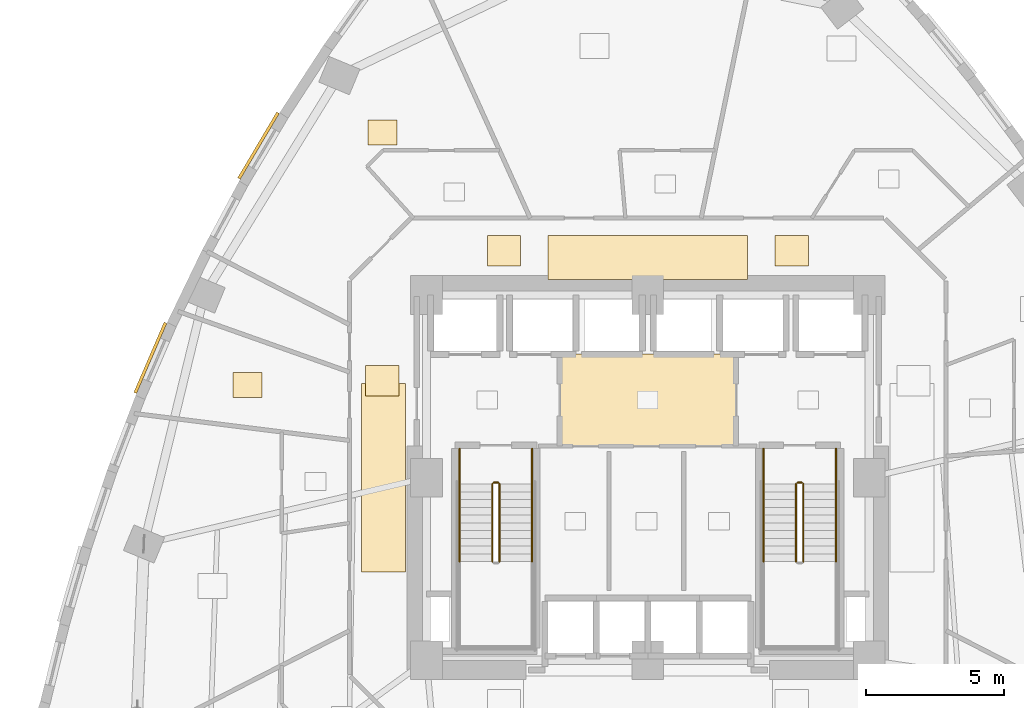
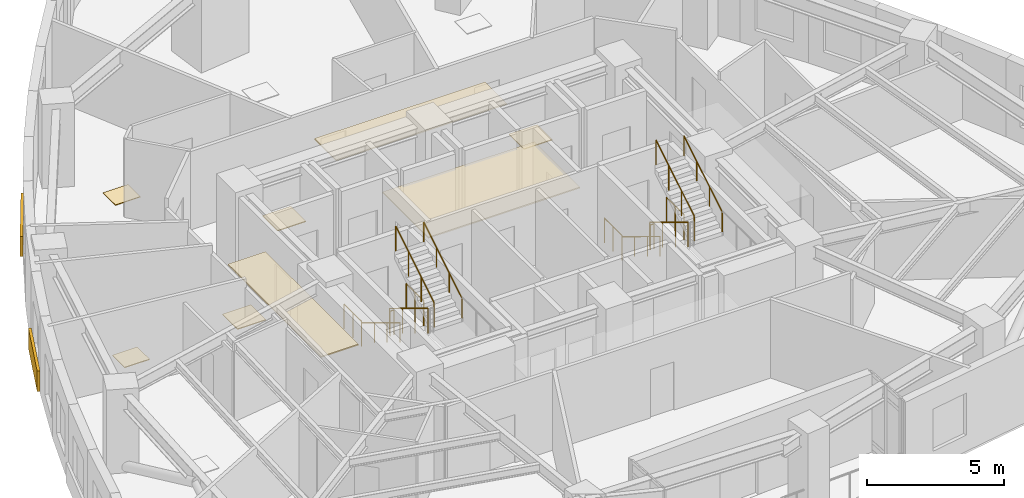
# One storey, part 10 of 11: 14 railings, 10 coverings.
"""IFC4 building model written with IfcOpenShell, lengths in metres."""

from ifc_helpers import new_model, si_unit, direction, frame, origin, origin_2d, place, context, subcontext, project, spatial, rectangle, circle, extrude, material, layer, layer_set, type_object, element, save


model = new_model("IFC4")

# Units and contexts
model_context = context("Model", 3, precision=1e-05, world=origin(), true_north=direction((0.0, 1.0)))
body_context = subcontext(model_context, "Body", "Model", "MODEL_VIEW")
ifc_project = project(units=[si_unit("LENGTHUNIT", "METRE"), si_unit("AREAUNIT", "SQUARE_METRE"), si_unit("VOLUMEUNIT", "CUBIC_METRE"), si_unit("PLANEANGLEUNIT", "RADIAN"), si_unit("MASSUNIT", "GRAM", prefix="KILO")], contexts=[model_context])

# Site, building, storey
site_placement = place(None, origin())
site = spatial("IfcSite", under=ifc_project, at=site_placement, CompositionType="ELEMENT")
building_placement = place(site_placement, origin())
building = spatial("IfcBuilding", under=site, at=building_placement, Name="Ndelora Gate Hotel", CompositionType="ELEMENT")
storey_placement = place(building_placement, frame((0.0, 0.0, 49.25)))
storey = spatial("IfcBuildingStorey", under=building, at=storey_placement, Name="L11", CompositionType="ELEMENT", Elevation=49.25)

# Coverings
ifc_material_1 = material(Name="Perforated Acoustic Gypsum Board", Category="gypsum")
ifc_layer_1 = layer(ifc_material_1, 0.054931640625)
ifc_layer_set_1 = layer_set([ifc_layer_1], Name="Perforated Acoustic Gypsum Board")
covering_type_1 = type_object("IfcCoveringType", Name="COV-CEIL-AC60", PredefinedType="CEILING", material=ifc_layer_set_1)
covering_1_placement = place(storey_placement, frame((0.0, 2.800048828125, 2.72265625), z_axis=(0.0, 0.0, 1.0), x_axis=(1.0, 0.0, 0.0)))
element("IfcCovering", 1, at=covering_1_placement, inside=storey, type_object=covering_type_1, Name="L11 Lift Lobby Acoustic Ceiling", PredefinedType="CEILING", context=body_context, shape_type="SweptSolid", body=[
    extrude(rectangle(XDim=6.39990234375, YDim=3.340087890625, at=origin_2d()), origin(), (0.0, 0.0, 1.0), 0.054931640625),
])
covering_2_placement = place(storey_placement, frame((0.0, 7.9599609375, 2.65234375), z_axis=(0.0, 0.0, 1.0), x_axis=(1.0, 0.0, 0.0)))
element("IfcCovering", 2, at=covering_2_placement, inside=storey, type_object=covering_type_1, Name="L11 Guest Corridor Acoustic Ceiling N", PredefinedType="CEILING", context=body_context, shape_type="SweptSolid", body=[
    extrude(rectangle(XDim=7.199951171875, YDim=1.580078125, at=origin_2d()), origin(), (0.0, 0.0, 1.0), 0.054931640625),
])
covering_3_placement = place(storey_placement, frame((-9.550048828125, 0.0, 2.65234375), z_axis=(0.0, 0.0, 1.0), x_axis=(1.0, 0.0, 0.0)))
element("IfcCovering", 3, at=covering_3_placement, inside=storey, type_object=covering_type_1, Name="L11 Guest Corridor Acoustic Ceiling W", PredefinedType="CEILING", context=body_context, shape_type="SweptSolid", body=[
    extrude(rectangle(XDim=1.580078125, YDim=6.800048828125, at=origin_2d()), origin(), (0.0, 0.0, 1.0), 0.054931640625),
])
ifc_material_2 = material(Name="Terracotta Fired Clay Brick Slip Cladding", Category="masonry")
ifc_layer_2 = layer(ifc_material_2, 0.110107421875)
ifc_layer_set_2 = layer_set([ifc_layer_2], Name="Terracotta Fired Clay Brick Slip Cladding")
covering_type_2 = type_object("IfcCoveringType", Name="COV-CLAD-BRK", PredefinedType="CLADDING", material=ifc_layer_set_2)
for number, where, z_axis, x_axis, name in (
    (4, (-14.0703125, 11.9990234375, 0.10009765625), (0.0, 0.0, 1.0), (0.510092630351, 0.860119473365, 0.0), "L11 Rounded-Corner Brick Cladding Band 13"),
    (5, (-17.977783203125, 4.330322265625, 0.10009765625), (0.0, 0.0, 1.0), (0.396026345721, 0.918239148313, 0.0), "L11 Rounded-Corner Brick Cladding Band 16"),
):
    element("IfcCovering", number, at=place(storey_placement, frame(where, z_axis=z_axis, x_axis=x_axis)), inside=storey, type_object=covering_type_2, Name=name, PredefinedType="CLADDING", context=body_context, shape_type="SweptSolid", body=[
        extrude(rectangle(XDim=2.764892578125, YDim=0.110107421875, at=origin_2d()), origin(), (0.0, 0.0, 1.0), 0.89990234375),
    ])
ifc_material_3 = material(Name="Engineered Highland Oak Parquet", Category="wood")
ifc_layer_3 = layer(ifc_material_3, 0.030029296875)
ifc_layer_set_3 = layer_set([ifc_layer_3], Name="Engineered Highland Oak Parquet")
covering_type_3 = type_object("IfcCoveringType", Name="COV-FLR-PARQ", PredefinedType="FLOORING", material=ifc_layer_set_3)
for number, where, z_axis, x_axis, name in (
    (6, (-9.582763671875, 12.48095703125, 0.0), (0.0, 0.0, 1.0), (1.0, 0.0, 0.0), "L11 Superior Double Guest Room 1406 Oak Parquet Flooring"),
    (7, (-14.461669921875, 3.34814453125, 0.0), (0.0, 0.0, 1.0), (1.0, 0.0, 0.0), "L11 Accessible WC Oak Parquet Flooring"),
):
    element("IfcCovering", number, at=place(storey_placement, frame(where, z_axis=z_axis, x_axis=x_axis)), inside=storey, type_object=covering_type_3, Name=name, PredefinedType="FLOORING", context=body_context, shape_type="SweptSolid", body=[
        extrude(rectangle(XDim=1.050048828125, YDim=0.89990234375, at=origin_2d()), origin(), (0.0, 0.0, 1.0), 0.030029296875),
    ])
ifc_material_4 = material(Name="Polished Highland Stone Terrazzo", Category="masonry")
ifc_layer_4 = layer(ifc_material_4, 0.034912109375)
ifc_layer_set_4 = layer_set([ifc_layer_4], Name="Polished Highland Stone Terrazzo")
covering_type_4 = type_object("IfcCoveringType", Name="COV-FLR-TERZ", PredefinedType="FLOORING", material=ifc_layer_set_4)
for number, where, z_axis, x_axis, name in (
    (8, (-5.199951171875, 8.199951171875, 0.0), (0.0, 0.0, 1.0), (1.0, 0.0, 0.0), "L11 Corridor Threshold Terrazzo Inlay NW"),
    (9, (5.199951171875, 8.199951171875, 0.0), (0.0, 0.0, 1.0), (1.0, 0.0, 0.0), "L11 Corridor Threshold Terrazzo Inlay NE"),
    (10, (-9.60009765625, 3.5, 0.0), (0.0, 0.0, 1.0), (1.0, 0.0, 0.0), "L11 Corridor Threshold Terrazzo Inlay W"),
):
    element("IfcCovering", number, at=place(storey_placement, frame(where, z_axis=z_axis, x_axis=x_axis)), inside=storey, type_object=covering_type_4, Name=name, PredefinedType="FLOORING", context=body_context, shape_type="SweptSolid", body=[
        extrude(rectangle(XDim=1.199951171875, YDim=1.10009765625, at=origin_2d()), origin(), (0.0, 0.0, 1.0), 0.034912109375),
    ])

# Railings
ifc_material_5 = material(Name="Painted Galvanized Steel Balustrade", Category="steel")
ifc_layer_5 = layer(ifc_material_5, 0.06005859375)
ifc_layer_set_5 = layer_set([ifc_layer_5], Name="Painted Galvanized Steel Balustrade")
railing_type_1 = type_object("IfcRailingType", Name="RL-STAIR-GD", PredefinedType="GUARDRAIL", material=ifc_layer_set_5)
railing_1_placement = place(storey_placement, frame((-5.6201171875, -0.22998046875, 0.17041015625)))
element("IfcRailing", 11, at=railing_1_placement, inside=storey, type_object=railing_type_1, Name="L11 ST4 stair guard 1", PredefinedType="GUARDRAIL", context=body_context, shape_type="SweptSolid", body=[
    extrude(circle(Radius=0.02392578125, at=origin_2d()), frame((0.0, 0.0, 1.10595703125), z_axis=(0.0, -0.854169791009, 0.51999420009), x_axis=(1.0, 0.0, 0.0)), (0.0, 0.0, 1.0), 3.278076171875),
    extrude(circle(Radius=0.02099609375, at=origin_2d()), origin(), (0.0, 0.0, 1.0), 1.081787109375),
    extrude(circle(Radius=0.02099609375, at=origin_2d()), frame((0.0, -0.933349609375, 0.568115234375)), (0.0, 0.0, 1.0), 1.081787109375),
    extrude(circle(Radius=0.02099609375, at=origin_2d()), frame((0.0, -1.86669921875, 1.136474609375)), (0.0, 0.0, 1.0), 1.081787109375),
    extrude(circle(Radius=0.02099609375, at=origin_2d()), frame((0.0, -2.800048828125, 1.70458984375)), (0.0, 0.0, 1.0), 1.081787109375),
])
railing_2_placement = place(storey_placement, frame((-5.360107421875, -3.030029296875, 2.04541015625)))
element("IfcRailing", 12, at=railing_2_placement, inside=storey, type_object=railing_type_1, Name="L11 ST4 stair guard 6", PredefinedType="GUARDRAIL", context=body_context, shape_type="SweptSolid", body=[
    extrude(circle(Radius=0.02392578125, at=origin_2d()), frame((0.0, 0.0, 1.10595703125), z_axis=(0.0, 0.854169791009, 0.51999420009), x_axis=(-1.0, 0.0, 0.0)), (0.0, 0.0, 1.0), 3.278076171875),
    extrude(circle(Radius=0.02099609375, at=origin_2d()), origin(), (0.0, 0.0, 1.0), 1.081787109375),
    extrude(circle(Radius=0.02099609375, at=origin_2d()), frame((0.0, 0.933349609375, 0.568115234375)), (0.0, 0.0, 1.0), 1.081787109375),
    extrude(circle(Radius=0.02099609375, at=origin_2d()), frame((0.0, 1.86669921875, 1.136474609375)), (0.0, 0.0, 1.0), 1.081787109375),
    extrude(circle(Radius=0.02099609375, at=origin_2d()), frame((0.0, 2.800048828125, 1.70458984375)), (0.0, 0.0, 1.0), 1.081787109375),
])
railing_3_placement = place(storey_placement, frame((-5.570068359375, -0.179931640625, 0.0)))
element("IfcRailing", 13, at=railing_3_placement, inside=storey, type_object=railing_type_1, Name="L11 ST4 stair guard 7", PredefinedType="GUARDRAIL", context=body_context, shape_type="SweptSolid", body=[
    extrude(circle(Radius=0.02392578125, at=origin_2d()), frame((0.0, 0.0, 1.10595703125), z_axis=(1.0, 0.0, 0.0), x_axis=(0.0, 1.0, 0.0)), (0.0, 0.0, 1.0), 0.16015625),
    extrude(circle(Radius=0.02099609375, at=origin_2d()), origin(), (0.0, 0.0, 1.0), 1.081787109375),
    extrude(circle(Radius=0.02099609375, at=origin_2d()), frame((0.16015625, 0.0, 0.0)), (0.0, 0.0, 1.0), 1.081787109375),
])
for number, where, name in (
    (14, (-6.800048828125, 1.050048828125, 0.0), "L11 ST4 stair guard 8"),
    (15, (-4.179931640625, 1.050048828125, 0.0), "L11 ST4 stair guard 9"),
):
    element("IfcRailing", number, at=place(storey_placement, frame(where)), inside=storey, type_object=railing_type_1, Name=name, PredefinedType="GUARDRAIL", context=body_context, shape_type="SweptSolid", body=[
        extrude(circle(Radius=0.02392578125, at=origin_2d()), frame((0.0, 0.0, 1.10595703125), z_axis=(0.0, -1.0, 0.0), x_axis=(1.0, 0.0, 0.0)), (0.0, 0.0, 1.0), 1.280029296875),
        extrude(circle(Radius=0.02099609375, at=origin_2d()), origin(), (0.0, 0.0, 1.0), 1.081787109375),
        extrude(circle(Radius=0.02099609375, at=origin_2d()), frame((0.0, -0.64013671875, 0.0)), (0.0, 0.0, 1.0), 1.081787109375),
        extrude(circle(Radius=0.02099609375, at=origin_2d()), frame((0.0, -1.280029296875, 0.0)), (0.0, 0.0, 1.0), 1.081787109375),
    ])
railing_4_placement = place(storey_placement, frame((5.360107421875, -0.22998046875, 0.17041015625)))
element("IfcRailing", 16, at=railing_4_placement, inside=storey, type_object=railing_type_1, Name="L11 ST5 stair guard 1", PredefinedType="GUARDRAIL", context=body_context, shape_type="SweptSolid", body=[
    extrude(circle(Radius=0.02392578125, at=origin_2d()), frame((0.0, 0.0, 1.10595703125), z_axis=(0.0, -0.854169791009, 0.51999420009), x_axis=(1.0, 0.0, 0.0)), (0.0, 0.0, 1.0), 3.278076171875),
    extrude(circle(Radius=0.02099609375, at=origin_2d()), origin(), (0.0, 0.0, 1.0), 1.081787109375),
    extrude(circle(Radius=0.02099609375, at=origin_2d()), frame((0.0, -0.933349609375, 0.568115234375)), (0.0, 0.0, 1.0), 1.081787109375),
    extrude(circle(Radius=0.02099609375, at=origin_2d()), frame((0.0, -1.86669921875, 1.136474609375)), (0.0, 0.0, 1.0), 1.081787109375),
    extrude(circle(Radius=0.02099609375, at=origin_2d()), frame((0.0, -2.800048828125, 1.70458984375)), (0.0, 0.0, 1.0), 1.081787109375),
])
railing_5_placement = place(storey_placement, frame((5.6201171875, -3.030029296875, 2.04541015625)))
element("IfcRailing", 17, at=railing_5_placement, inside=storey, type_object=railing_type_1, Name="L11 ST5 stair guard 6", PredefinedType="GUARDRAIL", context=body_context, shape_type="SweptSolid", body=[
    extrude(circle(Radius=0.02392578125, at=origin_2d()), frame((0.0, 0.0, 1.10595703125), z_axis=(0.0, 0.854169791009, 0.51999420009), x_axis=(-1.0, 0.0, 0.0)), (0.0, 0.0, 1.0), 3.278076171875),
    extrude(circle(Radius=0.02099609375, at=origin_2d()), origin(), (0.0, 0.0, 1.0), 1.081787109375),
    extrude(circle(Radius=0.02099609375, at=origin_2d()), frame((0.0, 0.933349609375, 0.568115234375)), (0.0, 0.0, 1.0), 1.081787109375),
    extrude(circle(Radius=0.02099609375, at=origin_2d()), frame((0.0, 1.86669921875, 1.136474609375)), (0.0, 0.0, 1.0), 1.081787109375),
    extrude(circle(Radius=0.02099609375, at=origin_2d()), frame((0.0, 2.800048828125, 1.70458984375)), (0.0, 0.0, 1.0), 1.081787109375),
])
railing_6_placement = place(storey_placement, frame((5.409912109375, -0.179931640625, 0.0)))
element("IfcRailing", 18, at=railing_6_placement, inside=storey, type_object=railing_type_1, Name="L11 ST5 stair guard 7", PredefinedType="GUARDRAIL", context=body_context, shape_type="SweptSolid", body=[
    extrude(circle(Radius=0.02392578125, at=origin_2d()), frame((0.0, 0.0, 1.10595703125), z_axis=(1.0, 0.0, 0.0), x_axis=(0.0, 1.0, 0.0)), (0.0, 0.0, 1.0), 0.16015625),
    extrude(circle(Radius=0.02099609375, at=origin_2d()), origin(), (0.0, 0.0, 1.0), 1.081787109375),
    extrude(circle(Radius=0.02099609375, at=origin_2d()), frame((0.16015625, 0.0, 0.0)), (0.0, 0.0, 1.0), 1.081787109375),
])
for number, where, name in (
    (19, (4.179931640625, 1.050048828125, 0.0), "L11 ST5 stair guard 8"),
    (20, (6.800048828125, 1.050048828125, 0.0), "L11 ST5 stair guard 9"),
):
    element("IfcRailing", number, at=place(storey_placement, frame(where)), inside=storey, type_object=railing_type_1, Name=name, PredefinedType="GUARDRAIL", context=body_context, shape_type="SweptSolid", body=[
        extrude(circle(Radius=0.02392578125, at=origin_2d()), frame((0.0, 0.0, 1.10595703125), z_axis=(0.0, -1.0, 0.0), x_axis=(1.0, 0.0, 0.0)), (0.0, 0.0, 1.0), 1.280029296875),
        extrude(circle(Radius=0.02099609375, at=origin_2d()), origin(), (0.0, 0.0, 1.0), 1.081787109375),
        extrude(circle(Radius=0.02099609375, at=origin_2d()), frame((0.0, -0.64013671875, 0.0)), (0.0, 0.0, 1.0), 1.081787109375),
        extrude(circle(Radius=0.02099609375, at=origin_2d()), frame((0.0, -1.280029296875, 0.0)), (0.0, 0.0, 1.0), 1.081787109375),
    ])
ifc_material_6 = material(Name="Brushed Stainless Steel 316", Category="steel")
ifc_layer_6 = layer(ifc_material_6, 0.050048828125)
ifc_layer_set_6 = layer_set([ifc_layer_6], Name="Brushed Stainless Steel 316")
railing_type_2 = type_object("IfcRailingType", Name="RL-STAIR-HR", PredefinedType="HANDRAIL", material=ifc_layer_set_6)
railing_7_placement = place(storey_placement, frame((-6.800048828125, -0.22998046875, 0.17041015625)))
element("IfcRailing", 21, at=railing_7_placement, inside=storey, type_object=railing_type_2, Name="L11 ST4 stair handrail 1", PredefinedType="HANDRAIL", context=body_context, shape_type="SweptSolid", body=[
    extrude(circle(Radius=0.02392578125, at=origin_2d()), frame((0.0, 0.0, 0.8759765625), z_axis=(0.0, -0.854169791009, 0.51999420009), x_axis=(1.0, 0.0, 0.0)), (0.0, 0.0, 1.0), 3.278076171875),
    extrude(circle(Radius=0.02099609375, at=origin_2d()), origin(), (0.0, 0.0, 1.0), 0.851806640625),
    extrude(circle(Radius=0.02099609375, at=origin_2d()), frame((0.0, -0.933349609375, 0.568115234375)), (0.0, 0.0, 1.0), 0.851806640625),
    extrude(circle(Radius=0.02099609375, at=origin_2d()), frame((0.0, -1.86669921875, 1.136474609375)), (0.0, 0.0, 1.0), 0.851806640625),
    extrude(circle(Radius=0.02099609375, at=origin_2d()), frame((0.0, -2.800048828125, 1.70458984375)), (0.0, 0.0, 1.0), 0.851806640625),
])
railing_8_placement = place(storey_placement, frame((-4.179931640625, -3.030029296875, 2.04541015625)))
element("IfcRailing", 22, at=railing_8_placement, inside=storey, type_object=railing_type_2, Name="L11 ST4 stair handrail 2", PredefinedType="HANDRAIL", context=body_context, shape_type="SweptSolid", body=[
    extrude(circle(Radius=0.02392578125, at=origin_2d()), frame((0.0, 0.0, 0.8759765625), z_axis=(0.0, 0.854169791009, 0.51999420009), x_axis=(-1.0, 0.0, 0.0)), (0.0, 0.0, 1.0), 3.278076171875),
    extrude(circle(Radius=0.02099609375, at=origin_2d()), origin(), (0.0, 0.0, 1.0), 0.851806640625),
    extrude(circle(Radius=0.02099609375, at=origin_2d()), frame((0.0, 0.933349609375, 0.568115234375)), (0.0, 0.0, 1.0), 0.851806640625),
    extrude(circle(Radius=0.02099609375, at=origin_2d()), frame((0.0, 1.86669921875, 1.136474609375)), (0.0, 0.0, 1.0), 0.851806640625),
    extrude(circle(Radius=0.02099609375, at=origin_2d()), frame((0.0, 2.800048828125, 1.70458984375)), (0.0, 0.0, 1.0), 0.851806640625),
])
railing_9_placement = place(storey_placement, frame((4.179931640625, -0.22998046875, 0.17041015625)))
element("IfcRailing", 23, at=railing_9_placement, inside=storey, type_object=railing_type_2, Name="L11 ST5 stair handrail 1", PredefinedType="HANDRAIL", context=body_context, shape_type="SweptSolid", body=[
    extrude(circle(Radius=0.02392578125, at=origin_2d()), frame((0.0, 0.0, 0.8759765625), z_axis=(0.0, -0.854169791009, 0.51999420009), x_axis=(1.0, 0.0, 0.0)), (0.0, 0.0, 1.0), 3.278076171875),
    extrude(circle(Radius=0.02099609375, at=origin_2d()), origin(), (0.0, 0.0, 1.0), 0.851806640625),
    extrude(circle(Radius=0.02099609375, at=origin_2d()), frame((0.0, -0.933349609375, 0.568115234375)), (0.0, 0.0, 1.0), 0.851806640625),
    extrude(circle(Radius=0.02099609375, at=origin_2d()), frame((0.0, -1.86669921875, 1.136474609375)), (0.0, 0.0, 1.0), 0.851806640625),
    extrude(circle(Radius=0.02099609375, at=origin_2d()), frame((0.0, -2.800048828125, 1.70458984375)), (0.0, 0.0, 1.0), 0.851806640625),
])
railing_10_placement = place(storey_placement, frame((6.800048828125, -3.030029296875, 2.04541015625)))
element("IfcRailing", 24, at=railing_10_placement, inside=storey, type_object=railing_type_2, Name="L11 ST5 stair handrail 2", PredefinedType="HANDRAIL", context=body_context, shape_type="SweptSolid", body=[
    extrude(circle(Radius=0.02392578125, at=origin_2d()), frame((0.0, 0.0, 0.8759765625), z_axis=(0.0, 0.854169791009, 0.51999420009), x_axis=(-1.0, 0.0, 0.0)), (0.0, 0.0, 1.0), 3.278076171875),
    extrude(circle(Radius=0.02099609375, at=origin_2d()), origin(), (0.0, 0.0, 1.0), 0.851806640625),
    extrude(circle(Radius=0.02099609375, at=origin_2d()), frame((0.0, 0.933349609375, 0.568115234375)), (0.0, 0.0, 1.0), 0.851806640625),
    extrude(circle(Radius=0.02099609375, at=origin_2d()), frame((0.0, 1.86669921875, 1.136474609375)), (0.0, 0.0, 1.0), 0.851806640625),
    extrude(circle(Radius=0.02099609375, at=origin_2d()), frame((0.0, 2.800048828125, 1.70458984375)), (0.0, 0.0, 1.0), 0.851806640625),
])

save(model, "model.ifc")
